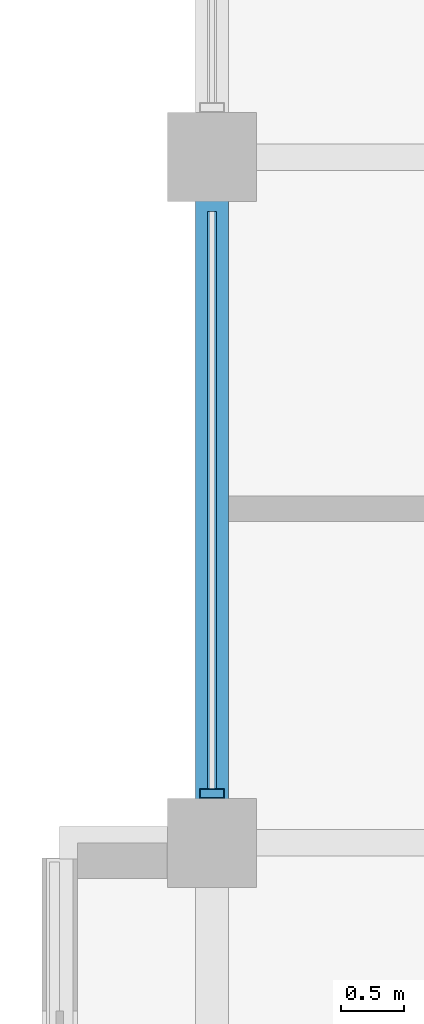
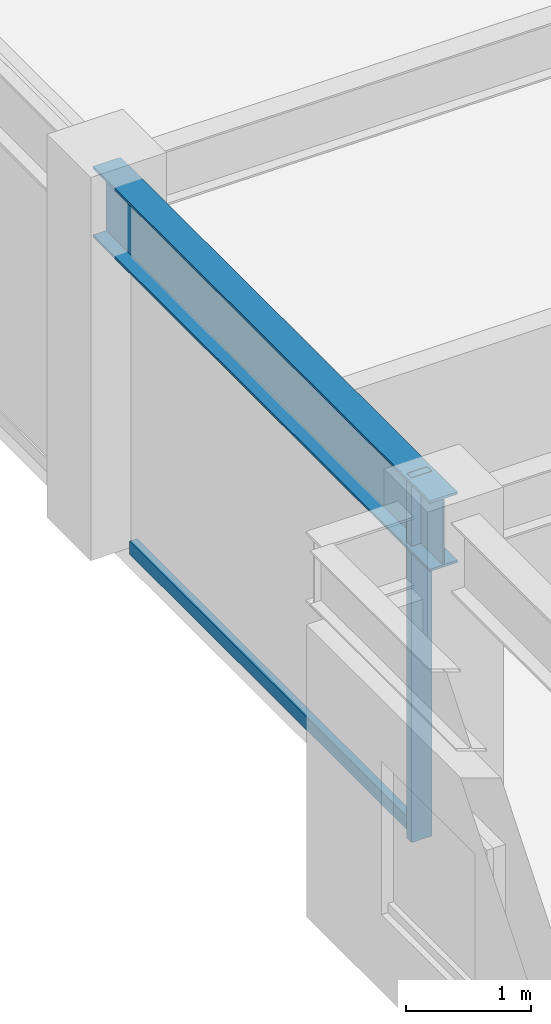
# One storey, part 8 of 30: 2 members, 1 beam, 1 element without a shape of its own.
"""IFC4 building model written with IfcOpenShell, lengths in metres."""

from ifc_helpers import new_model, si_unit, direction, frame, origin, origin_2d, place, context, subcontext, project, spatial, hollow_rectangle, i_section, extrude, material, layer, layer_set, material_profile, profile_set, type_object, element, aggregate, save


model = new_model("IFC4")

# Units and contexts
model_context = context("Model", 3, precision=1e-05, world=origin(), true_north=direction((0.0, 1.0)))
body_context = subcontext(model_context, "Body", "Model", "MODEL_VIEW")
ifc_project = project(units=[si_unit("LENGTHUNIT", "METRE"), si_unit("AREAUNIT", "SQUARE_METRE"), si_unit("VOLUMEUNIT", "CUBIC_METRE"), si_unit("PLANEANGLEUNIT", "RADIAN"), si_unit("MASSUNIT", "GRAM", prefix="KILO")], contexts=[model_context])

# Site, building, storey
site_placement = place(None, origin())
site = spatial("IfcSite", under=ifc_project, at=site_placement, CompositionType="ELEMENT")
building_placement = place(site_placement, origin())
building = spatial("IfcBuilding", under=site, at=building_placement, Name="Surkhivell Harbour Commons", CompositionType="ELEMENT")
storey_placement = place(building_placement, frame((0.0, 0.0, 307.5)))
storey = spatial("IfcBuildingStorey", under=building, at=storey_placement, Name="L80", CompositionType="ELEMENT", Elevation=307.5)

# Beam
ifc_material_1 = material(Name="Steel S355", Category="steel")
ifc_material_profile_1 = material_profile(ifc_material_1, i_section(OverallWidth=0.256103515625, OverallDepth=0.693115234375, WebThickness=0.014404296875, FlangeThickness=0.023681640625, at=origin_2d()), Name="UB686x254x170")
ifc_profile_set_1 = profile_set([ifc_material_profile_1], Name="Steel S355")
beam_type = type_object("IfcBeamType", Name="BM-SPN-686", PredefinedType="SPANDREL", material=ifc_profile_set_1)
beam_placement = place(storey_placement, frame((-27.0, 5.39990234375, 3.223388671875), z_axis=(0.0, 1.0, 0.0), x_axis=(-1.0, 0.0, 0.0)))
element("IfcBeam", 1, at=beam_placement, inside=storey, type_object=beam_type, Name="L80 Tube Spandrel (-27.0,5.4)", PredefinedType="SPANDREL", context=body_context, shape_type="SweptSolid", body=[
    extrude(i_section(OverallWidth=0.256103515625, OverallDepth=0.693115234375, WebThickness=0.014404296875, FlangeThickness=0.023681640625, at=origin_2d()), origin(), (0.0, 0.0, 1.0), 5.400146484375),
])

# Curtain wall, members
ifc_material_2 = material(Name="Anodised pale-metal aluminium and insulated glazing", Category="aluminium")
ifc_layer = layer(ifc_material_2, 0.175048828125)
ifc_layer_set = layer_set([ifc_layer], Name="Anodised pale-metal aluminium and insulated glazing")
curtain_wall_type = type_object("IfcCurtainWallType", Name="CW-SYS-Z4", PredefinedType="NOTDEFINED", material=ifc_layer_set)
curtain_wall_placement = place(storey_placement, origin())
curtain_wall = element("IfcCurtainWall", 2, at=curtain_wall_placement, inside=storey, type_object=curtain_wall_type, Name="L80 Curtain Wall CW-L80-E12R2", PredefinedType="NOTDEFINED")
ifc_material_3 = material(Name="Anodised pale-metal aluminium alloy 6063-T6", Category="aluminium")
ifc_material_profile_2 = material_profile(ifc_material_3, hollow_rectangle(XDim=0.074951171875, YDim=0.18994140625, WallThickness=0.00390625, at=origin_2d()), Name="ALU-MULL-75x190")
ifc_profile_set_2 = profile_set([ifc_material_profile_2], Name="Anodised pale-metal aluminium alloy 6063-T6")
member_type_1 = type_object("IfcMemberType", Name="CWM-190", PredefinedType="MULLION", material=ifc_profile_set_2)
member_1_placement = place(storey_placement, frame((-27.0, 5.78955078125, 0.0), z_axis=(0.0, 0.0, 1.0), x_axis=(0.0, 1.0, 0.0)))
member_1 = element("IfcMember", 3, at=member_1_placement, type_object=member_type_1, Name="CW-Z4 mullion 1", PredefinedType="MULLION", context=body_context, shape_type="SweptSolid", body=[
    extrude(hollow_rectangle(XDim=0.074951171875, YDim=0.18994140625, WallThickness=0.00390625, at=origin_2d()), origin(), (0.0, 0.0, 1.0), 3.570068359375),
])
ifc_material_4 = material(Name="Champagne anodised aluminium alloy 6063-T6", Category="aluminium")
ifc_material_profile_3 = material_profile(ifc_material_4, hollow_rectangle(XDim=0.070068359375, YDim=0.1298828125, WallThickness=0.00341796875, at=origin_2d()), Name="ALU-TRAN-70x130")
ifc_profile_set_3 = profile_set([ifc_material_profile_3], Name="Champagne anodised aluminium alloy 6063-T6")
member_type_2 = type_object("IfcMemberType", Name="CWT-130", PredefinedType="USERDEFINED", material=ifc_profile_set_3)
member_2_placement = place(storey_placement, frame((-27.0, 5.826904296875, 0.06494140625), z_axis=(0.0, 1.0, 0.0), x_axis=(-1.0, 0.0, 0.0)))
member_2 = element("IfcMember", 4, at=member_2_placement, type_object=member_type_2, Name="CW-Z4 transom 1.1", ObjectType="TRANSOM", PredefinedType="USERDEFINED", context=body_context, shape_type="SweptSolid", body=[
    extrude(hollow_rectangle(XDim=0.070068359375, YDim=0.1298828125, WallThickness=0.00341796875, at=origin_2d()), origin(), (0.0, 0.0, 1.0), 4.546142578125),
])
aggregate(curtain_wall, [member_1, member_2])

save(model, "model.ifc")
